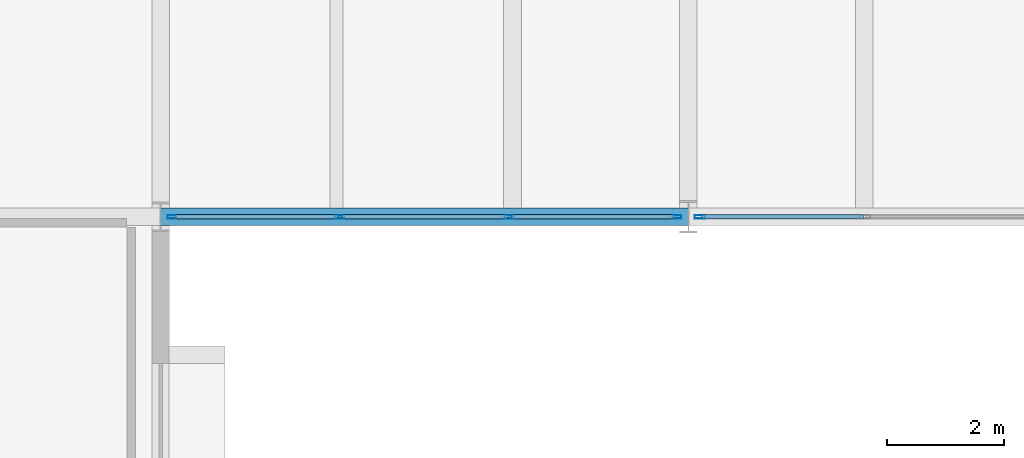
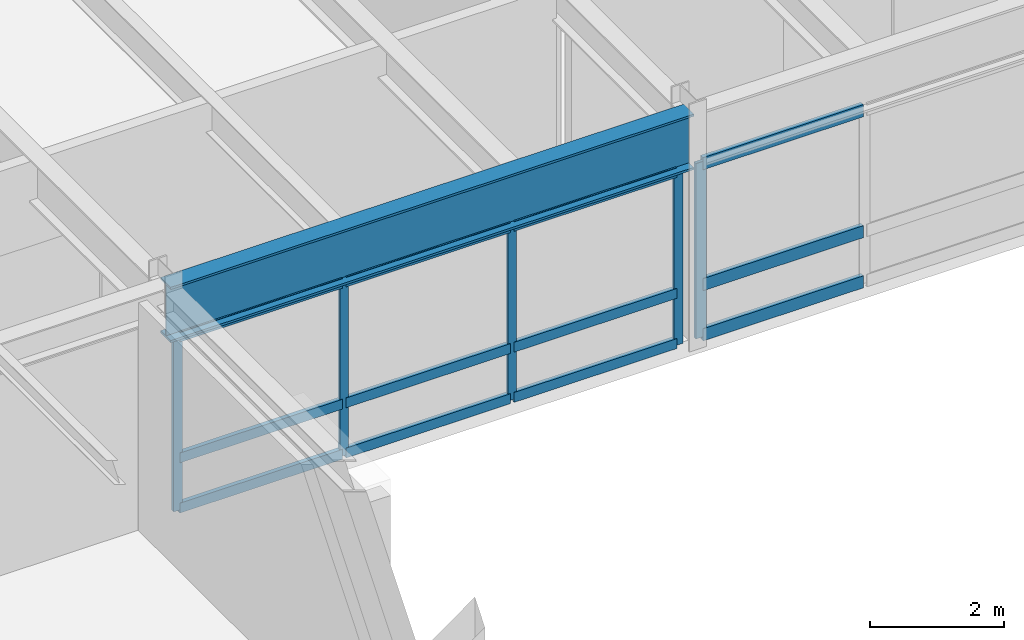
# One storey, part 83 of 142: 17 members, 1 beam, 2 elements without a shape of their own.
"""IFC4 building model written with IfcOpenShell, lengths in metres."""

import ifcopenshell
import ifcopenshell.guid

model = None  # the IFC model being written
_history = None  # IfcOwnerHistory: only IFC2X3 demands one
_inside = {}  # id of a spatial element -> (the spatial element, [elements in it])
_under = {}  # id of a project, library or spatial element -> (it, [spatial elements below it])
_declared = {}  # id of a project -> (the project, [libraries it declares])
_typed = {}  # id of a type object -> (the type object, [elements of that type])
_made_of = {}  # id of a material, layer set ... -> (it, [elements and type objects made of it])


def new_model(schema):
    """Start an empty IFC model of exactly this schema.

    Asked for "IFC4X3", IfcOpenShell would pick the latest addendum, in which some entities
    have other attributes; the version numbers below select the first issue.
    IFC2X3 requires an IfcOwnerHistory on every rooted entity: one is made here for all.
    """
    global model, _history
    if schema == "IFC4X3":
        model = ifcopenshell.file(schema_version=(4, 3, 0, 0))
    else:
        model = ifcopenshell.file(schema=schema)
    _inside.clear()
    _under.clear()
    _declared.clear()
    _typed.clear()
    _made_of.clear()
    _history = None
    if model.schema == "IFC2X3":
        org = make("IfcOrganization", Name="unknown")
        user = make(
            "IfcPersonAndOrganization",
            ThePerson=make("IfcPerson", FamilyName="unknown"),
            TheOrganization=org,
        )
        app = make(
            "IfcApplication",
            ApplicationDeveloper=org,
            Version="unknown",
            ApplicationFullName="unknown",
            ApplicationIdentifier="unknown",
        )
        _history = make(
            "IfcOwnerHistory",
            OwningUser=user,
            OwningApplication=app,
            ChangeAction="ADDED",
            CreationDate=0,
        )
    return model


def make(cls, **values):
    """One entity of the class cls with the attributes given. An attribute that is None is left unset."""
    return model.create_entity(
        cls, **{name: value for name, value in values.items() if value is not None}
    )


def rooted(cls, **values):
    """An entity with a GlobalId (a new one), such as an element, a storey or a relation."""
    return make(cls, GlobalId=ifcopenshell.guid.new(), OwnerHistory=_history, **values)


def si_unit(unit_type, name, prefix=None):
    """IfcSIUnit, for example si_unit("LENGTHUNIT", "METRE", prefix="MILLI")."""
    return make("IfcSIUnit", UnitType=unit_type, Prefix=prefix, Name=name)


def assignment(units):
    """IfcUnitAssignment: the units of a project."""
    return None if units is None else make("IfcUnitAssignment", Units=units)


def point(xyz):
    """IfcCartesianPoint."""
    return None if xyz is None else make("IfcCartesianPoint", Coordinates=xyz)


def direction(xyz):
    """IfcDirection."""
    return None if xyz is None else make("IfcDirection", DirectionRatios=xyz)


def frame(location, z_axis=None, x_axis=None):
    """IfcAxis2Placement3D, a coordinate frame: its origin and axes. An axis left out is left unset."""
    return make(
        "IfcAxis2Placement3D",
        Location=point(location),
        Axis=direction(z_axis),
        RefDirection=direction(x_axis),
    )


def frame_2d(location, x_axis=None):
    """IfcAxis2Placement2D, a coordinate frame in the plane: its origin and x axis."""
    return make(
        "IfcAxis2Placement2D", Location=point(location), RefDirection=direction(x_axis)
    )


def origin():
    """The frame at (0, 0, 0) with its axes left unset."""
    return frame((0.0, 0.0, 0.0))


def origin_2d():
    """The frame at (0, 0) in the plane with its x axis left unset."""
    return frame_2d((0.0, 0.0))


def place(relative_to, where):
    """IfcLocalPlacement: puts the frame where relative to a parent placement (None: the world)."""
    return make(
        "IfcLocalPlacement", PlacementRelTo=relative_to, RelativePlacement=where
    )


def context(
    kind, dimensions, precision=None, world=None, true_north=None, identifier=None
):
    """IfcGeometricRepresentationContext, for example the 3D "Model" context."""
    return make(
        "IfcGeometricRepresentationContext",
        ContextIdentifier=identifier,
        ContextType=kind,
        CoordinateSpaceDimension=dimensions,
        Precision=precision,
        WorldCoordinateSystem=world,
        TrueNorth=true_north,
    )


def subcontext(parent, identifier, kind, view, scale=None):
    """IfcGeometricRepresentationSubContext, for example "Body" below "Model"."""
    return make(
        "IfcGeometricRepresentationSubContext",
        ContextIdentifier=identifier,
        ContextType=kind,
        ParentContext=parent,
        TargetScale=scale,
        TargetView=view,
    )


def project(units=None, contexts=None):
    """IfcProject with its units and contexts."""
    return rooted(
        "IfcProject",
        Name="project",
        RepresentationContexts=contexts,
        UnitsInContext=assignment(units),
    )


def spatial(cls, under=None, at=None, **own):
    """A site, building, storey or space (cls), placed at a placement, below another one or the project."""
    s = rooted(cls, ObjectPlacement=at, **own)
    if under is not None:
        _under.setdefault(under.id(), (under, []))[1].append(s)
    return s


def profile(cls, at=None, kind="AREA", **sizes):
    """A parametric profile (cls). Its sizes go by their IFC names, for example OverallWidth=200.0."""
    return make(cls, ProfileType=kind, Position=at, **sizes)


def hollow_rectangle(**sizes):
    """IfcRectangleHollowProfileDef."""
    return profile("IfcRectangleHollowProfileDef", **sizes)


def i_section(**sizes):
    """IfcIShapeProfileDef."""
    return profile("IfcIShapeProfileDef", **sizes)


def extrude(swept, where, along, depth):
    """IfcExtrudedAreaSolid: the profile swept, set in the frame where, extruded along a direction by depth."""
    return make(
        "IfcExtrudedAreaSolid",
        SweptArea=swept,
        Position=where,
        ExtrudedDirection=direction(along),
        Depth=depth,
    )


def shape(context_of_items, identifier, shape_type, items):
    """IfcShapeRepresentation: the items that make up one representation, for example the "Body"."""
    return make(
        "IfcShapeRepresentation",
        ContextOfItems=context_of_items,
        RepresentationIdentifier=identifier,
        RepresentationType=shape_type,
        Items=items,
    )


def material(Name=None, Category=None):
    """IfcMaterial."""
    return make("IfcMaterial", Name=Name, Category=Category)


def layer(
    of_material, thickness, ventilated=None, Name=None, Category=None, Priority=None
):
    """IfcMaterialLayer: one layer of a wall or slab, of a material (None: an air gap)."""
    return make(
        "IfcMaterialLayer",
        Material=of_material,
        LayerThickness=thickness,
        IsVentilated=ventilated,
        Name=Name,
        Category=Category,
        Priority=Priority,
    )


def layer_set(layers, Name=None):
    """IfcMaterialLayerSet."""
    return make("IfcMaterialLayerSet", MaterialLayers=layers, LayerSetName=Name)


def material_profile(
    of_material, cross_section, Name=None, Category=None, Priority=None
):
    """IfcMaterialProfile: a cross section and its material."""
    return make(
        "IfcMaterialProfile",
        Name=Name,
        Material=of_material,
        Profile=cross_section,
        Priority=Priority,
        Category=Category,
    )


def profile_set(profiles, Name=None, composite=None):
    """IfcMaterialProfileSet."""
    return make(
        "IfcMaterialProfileSet",
        Name=Name,
        MaterialProfiles=profiles,
        CompositeProfile=composite,
    )


def made_of(thing, what):
    """Note that an element or type object is made of a material, layer set ...; save() writes the relation."""
    if what is not None:
        _made_of.setdefault(what.id(), (what, []))[1].append(thing)
    return thing


def type_object(cls, material=None, **own):
    """A type object (cls), such as IfcWallType, which elements share."""
    return made_of(rooted(cls, **own), material)


def element(
    cls,
    number,
    at=None,
    inside=None,
    cuts=None,
    type_object=None,
    material=None,
    context=None,
    identifier="Body",
    shape_type=None,
    held_by="IfcProductDefinitionShape",
    body=None,
    shapes=None,
    **own,
):
    """One element of the class cls, such as IfcWall. Its Tag is "e" and its number.

    at: its placement. inside: the storey or other place that contains it. cuts: it is an
    opening in that element (IfcRelVoidsElement). A single representation is given by context,
    identifier, shape_type and body (its items); several are given by shapes. held_by: the class
    of the entity that holds the representations. save() writes the other relations.
    """
    e = rooted(cls, Tag="e%d" % number, ObjectPlacement=at, **own)
    if body is not None:
        shapes = [shape(context, identifier, shape_type, body)]
    if shapes is not None:
        e.Representation = make(held_by, Representations=shapes)
    if inside is not None:
        _inside.setdefault(inside.id(), (inside, []))[1].append(e)
    if cuts is not None:
        rooted(
            "IfcRelVoidsElement", RelatingBuildingElement=cuts, RelatedOpeningElement=e
        )
    if type_object is not None:
        _typed.setdefault(type_object.id(), (type_object, []))[1].append(e)
    return made_of(e, material)


def aggregate(whole, parts):
    """IfcRelAggregates: a whole, such as a stair, and the parts it consists of."""
    return rooted("IfcRelAggregates", RelatingObject=whole, RelatedObjects=parts)


def save(model, path):
    """Write the relations noted so far, then the file.

    IfcRelAggregates (storeys below a building ...), IfcRelContainedInSpatialStructure (elements
    in a storey), IfcRelDefinesByType, IfcRelAssociatesMaterial and IfcRelDeclares: one each for
    every whole, place, type object, material and project.
    """
    for whole, parts in _under.values():
        aggregate(whole, parts)
    for where, things in _inside.values():
        rooted(
            "IfcRelContainedInSpatialStructure",
            RelatedElements=things,
            RelatingStructure=where,
        )
    for kind, things in _typed.values():
        rooted("IfcRelDefinesByType", RelatedObjects=things, RelatingType=kind)
    for what, things in _made_of.values():
        rooted("IfcRelAssociatesMaterial", RelatedObjects=things, RelatingMaterial=what)
    for by, libraries in _declared.values():
        rooted("IfcRelDeclares", RelatingContext=by, RelatedDefinitions=libraries)
    model.write(path)


model = new_model("IFC4")

# Units and contexts
model_context = context("Model", 3, precision=1e-05, world=origin(), true_north=direction((0.0, 1.0)))
body_context = subcontext(model_context, "Body", "Model", "MODEL_VIEW")
ifc_project = project(units=[si_unit("LENGTHUNIT", "METRE"), si_unit("AREAUNIT", "SQUARE_METRE"), si_unit("VOLUMEUNIT", "CUBIC_METRE"), si_unit("PLANEANGLEUNIT", "RADIAN"), si_unit("MASSUNIT", "GRAM", prefix="KILO")], contexts=[model_context])

# Site, building, storey
site_placement = place(None, origin())
site = spatial("IfcSite", under=ifc_project, at=site_placement, CompositionType="ELEMENT")
building_placement = place(site_placement, origin())
building = spatial("IfcBuilding", under=site, at=building_placement, Name="Montelvaro Courts of Justice", CompositionType="ELEMENT")
storey_placement = place(building_placement, frame((0.0, 0.0, 14.39990234375)))
storey = spatial("IfcBuildingStorey", under=building, at=storey_placement, Name="L03", CompositionType="ELEMENT", Elevation=14.39990234375)

# Beam
ifc_material_1 = material(Name="Steel S355", Category="steel")
ifc_material_profile_1 = material_profile(ifc_material_1, i_section(OverallWidth=0.302001953125, OverallDepth=1.008056640625, WebThickness=0.02099609375, FlangeThickness=0.0400390625, at=origin_2d()), Name="HEM 1000")
ifc_profile_set_1 = profile_set([ifc_material_profile_1], Name="Steel S355")
beam_type = type_object("IfcBeamType", Name="Beam_HEM1000", PredefinedType="USERDEFINED", material=ifc_profile_set_1)
beam_placement = place(storey_placement, frame((135.0, 78.0, 3.696044921875), z_axis=(1.0, 0.0, 0.0), x_axis=(0.0, 1.0, 0.0)))
element("IfcBeam", 1, at=beam_placement, inside=storey, type_object=beam_type, Name="Pratt Cantilever Truss Chord CTR-V2-S-L04-BS1", ObjectType="GIRDER", PredefinedType="USERDEFINED", context=body_context, shape_type="SweptSolid", body=[
    extrude(i_section(OverallWidth=0.302001953125, OverallDepth=1.008056640625, WebThickness=0.02099609375, FlangeThickness=0.0400390625, at=origin_2d()), origin(), (0.0, 0.0, 1.0), 9.0),
])

# Curtain wall, members
ifc_material_2 = material(Name="Anodised aluminium EN AW-6063", Category="aluminium")
ifc_layer_1 = layer(ifc_material_2, 0.159912109375)
ifc_layer_set_1 = layer_set([ifc_layer_1], Name="Anodised aluminium EN AW-6063")
curtain_wall_type_1 = type_object("IfcCurtainWallType", Name="CurtainWall_14_867x418", PredefinedType="USERDEFINED", material=ifc_layer_set_1)
curtain_wall_1_placement = place(storey_placement, origin())
curtain_wall_1 = element("IfcCurtainWall", 2, at=curtain_wall_1_placement, inside=storey, type_object=curtain_wall_type_1, Name="Curtain Wall CW-14 (L03)", ObjectType="CURTAIN WALL", PredefinedType="USERDEFINED")
ifc_material_profile_2 = material_profile(ifc_material_2, hollow_rectangle(XDim=0.06005859375, YDim=0.14990234375, WallThickness=0.00390625, at=origin_2d()), Name="ALU-M 60x150")
ifc_profile_set_2 = profile_set([ifc_material_profile_2], Name="Anodised aluminium EN AW-6063")
member_type_1 = type_object("IfcMemberType", Name="CurtainWall_Mullion_60x150", PredefinedType="MULLION", material=ifc_profile_set_2)
member_1_placement = place(storey_placement, frame((135.195068359375, 78.0, 0.0), z_axis=(0.0, 0.0, 1.0), x_axis=(0.0, 1.0, 0.0)))
member_1 = element("IfcMember", 3, at=member_1_placement, type_object=member_type_1, Name="CW-14 mullion 1", PredefinedType="MULLION", context=body_context, shape_type="SweptSolid", body=[
    extrude(hollow_rectangle(XDim=0.06005859375, YDim=0.14990234375, WallThickness=0.00390625, at=origin_2d()), origin(), (0.0, 0.0, 1.0), 3.18701171875),
])
member_2_placement = place(storey_placement, frame((138.054931640625, 78.0, 0.0), z_axis=(0.0, 0.0, 1.0), x_axis=(0.0, 1.0, 0.0)))
member_2 = element("IfcMember", 4, at=member_2_placement, type_object=member_type_1, Name="CW-14 mullion 2", PredefinedType="MULLION", context=body_context, shape_type="SweptSolid", body=[
    extrude(hollow_rectangle(XDim=0.06005859375, YDim=0.14990234375, WallThickness=0.00390625, at=origin_2d()), origin(), (0.0, 0.0, 1.0), 3.18701171875),
])
member_3_placement = place(storey_placement, frame((140.945068359375, 78.0, 0.0), z_axis=(0.0, 0.0, 1.0), x_axis=(0.0, 1.0, 0.0)))
member_3 = element("IfcMember", 5, at=member_3_placement, type_object=member_type_1, Name="CW-14 mullion 3", PredefinedType="MULLION", context=body_context, shape_type="SweptSolid", body=[
    extrude(hollow_rectangle(XDim=0.06005859375, YDim=0.14990234375, WallThickness=0.00390625, at=origin_2d()), origin(), (0.0, 0.0, 1.0), 3.18701171875),
])
member_4_placement = place(storey_placement, frame((143.804931640625, 78.0, 0.0), z_axis=(0.0, 0.0, 1.0), x_axis=(0.0, 1.0, 0.0)))
member_4 = element("IfcMember", 6, at=member_4_placement, type_object=member_type_1, Name="CW-14 mullion 4", PredefinedType="MULLION", context=body_context, shape_type="SweptSolid", body=[
    extrude(hollow_rectangle(XDim=0.06005859375, YDim=0.14990234375, WallThickness=0.00390625, at=origin_2d()), origin(), (0.0, 0.0, 1.0), 3.18701171875),
])

# Curtain wall, member
ifc_layer_2 = layer(ifc_material_2, 0.159912109375)
ifc_layer_set_2 = layer_set([ifc_layer_2], Name="Anodised aluminium EN AW-6063")
curtain_wall_type_2 = type_object("IfcCurtainWallType", Name="CurtainWall_13_857x418", PredefinedType="USERDEFINED", material=ifc_layer_set_2)
curtain_wall_2_placement = place(storey_placement, origin())
curtain_wall_2 = element("IfcCurtainWall", 7, at=curtain_wall_2_placement, inside=storey, type_object=curtain_wall_type_2, Name="Curtain Wall CW-13 (L03)", ObjectType="CURTAIN WALL", PredefinedType="USERDEFINED")
ifc_material_profile_3 = material_profile(ifc_material_2, hollow_rectangle(XDim=0.06005859375, YDim=0.179931640625, WallThickness=0.00439453125, at=origin_2d()), Name="ALU-M 60x180")
ifc_profile_set_3 = profile_set([ifc_material_profile_3], Name="Anodised aluminium EN AW-6063")
member_type_2 = type_object("IfcMemberType", Name="CurtainWall_Mullion_60x180", PredefinedType="MULLION", material=ifc_profile_set_3)
member_5_placement = place(storey_placement, frame((144.195068359375, 78.0, 0.0), z_axis=(0.0, 0.0, 1.0), x_axis=(0.0, 1.0, 0.0)))
member_5 = element("IfcMember", 8, at=member_5_placement, type_object=member_type_2, Name="CW-13 mullion 1", PredefinedType="MULLION", context=body_context, shape_type="SweptSolid", body=[
    extrude(hollow_rectangle(XDim=0.06005859375, YDim=0.179931640625, WallThickness=0.00439453125, at=origin_2d()), origin(), (0.0, 0.0, 1.0), 3.18701171875),
])

# Member
ifc_material_profile_4 = material_profile(ifc_material_2, hollow_rectangle(XDim=0.074951171875, YDim=0.179931640625, WallThickness=0.0048828125, at=origin_2d()), Name="ALU-T 75x180")
ifc_profile_set_4 = profile_set([ifc_material_profile_4], Name="Anodised aluminium EN AW-6063")
member_type_3 = type_object("IfcMemberType", Name="CurtainWall_Transom_75x180", PredefinedType="USERDEFINED", material=ifc_profile_set_4)
member_6_placement = place(storey_placement, frame((135.22509765625, 78.0, 0.03759765625), z_axis=(1.0, 0.0, 0.0), x_axis=(0.0, 1.0, 0.0)))
member_6 = element("IfcMember", 9, at=member_6_placement, type_object=member_type_3, Name="CW-14 transom 1.1", ObjectType="TRANSOM", PredefinedType="USERDEFINED", context=body_context, shape_type="SweptSolid", body=[
    extrude(hollow_rectangle(XDim=0.074951171875, YDim=0.179931640625, WallThickness=0.0048828125, at=origin_2d()), origin(), (0.0, 0.0, 1.0), 2.7998046875),
])

member_7_placement = place(storey_placement, frame((135.22509765625, 78.0, 0.9501953125), z_axis=(1.0, 0.0, 0.0), x_axis=(0.0, 1.0, 0.0)))
member_7 = element("IfcMember", 10, at=member_7_placement, type_object=member_type_3, Name="CW-14 transom 1.2", ObjectType="TRANSOM", PredefinedType="USERDEFINED", context=body_context, shape_type="SweptSolid", body=[
    extrude(hollow_rectangle(XDim=0.074951171875, YDim=0.179931640625, WallThickness=0.0048828125, at=origin_2d()), origin(), (0.0, 0.0, 1.0), 2.7998046875),
])

member_8_placement = place(storey_placement, frame((135.22509765625, 78.0, 3.149658203125), z_axis=(1.0, 0.0, 0.0), x_axis=(0.0, 1.0, 0.0)))
member_8 = element("IfcMember", 11, at=member_8_placement, type_object=member_type_3, Name="CW-14 transom 1.3", ObjectType="TRANSOM", PredefinedType="USERDEFINED", context=body_context, shape_type="SweptSolid", body=[
    extrude(hollow_rectangle(XDim=0.074951171875, YDim=0.179931640625, WallThickness=0.0048828125, at=origin_2d()), origin(), (0.0, 0.0, 1.0), 2.7998046875),
])

member_9_placement = place(storey_placement, frame((138.0849609375, 78.0, 0.03759765625), z_axis=(1.0, 0.0, 0.0), x_axis=(0.0, 1.0, 0.0)))
member_9 = element("IfcMember", 12, at=member_9_placement, type_object=member_type_3, Name="CW-14 transom 2.1", ObjectType="TRANSOM", PredefinedType="USERDEFINED", context=body_context, shape_type="SweptSolid", body=[
    extrude(hollow_rectangle(XDim=0.074951171875, YDim=0.179931640625, WallThickness=0.0048828125, at=origin_2d()), origin(), (0.0, 0.0, 1.0), 2.830078125),
])

member_10_placement = place(storey_placement, frame((138.0849609375, 78.0, 0.9501953125), z_axis=(1.0, 0.0, 0.0), x_axis=(0.0, 1.0, 0.0)))
member_10 = element("IfcMember", 13, at=member_10_placement, type_object=member_type_3, Name="CW-14 transom 2.2", ObjectType="TRANSOM", PredefinedType="USERDEFINED", context=body_context, shape_type="SweptSolid", body=[
    extrude(hollow_rectangle(XDim=0.074951171875, YDim=0.179931640625, WallThickness=0.0048828125, at=origin_2d()), origin(), (0.0, 0.0, 1.0), 2.830078125),
])

member_11_placement = place(storey_placement, frame((138.0849609375, 78.0, 3.149658203125), z_axis=(1.0, 0.0, 0.0), x_axis=(0.0, 1.0, 0.0)))
member_11 = element("IfcMember", 14, at=member_11_placement, type_object=member_type_3, Name="CW-14 transom 2.3", ObjectType="TRANSOM", PredefinedType="USERDEFINED", context=body_context, shape_type="SweptSolid", body=[
    extrude(hollow_rectangle(XDim=0.074951171875, YDim=0.179931640625, WallThickness=0.0048828125, at=origin_2d()), origin(), (0.0, 0.0, 1.0), 2.830078125),
])

member_12_placement = place(storey_placement, frame((140.97509765625, 78.0, 0.03759765625), z_axis=(1.0, 0.0, 0.0), x_axis=(0.0, 1.0, 0.0)))
member_12 = element("IfcMember", 15, at=member_12_placement, type_object=member_type_3, Name="CW-14 transom 3.1", ObjectType="TRANSOM", PredefinedType="USERDEFINED", context=body_context, shape_type="SweptSolid", body=[
    extrude(hollow_rectangle(XDim=0.074951171875, YDim=0.179931640625, WallThickness=0.0048828125, at=origin_2d()), origin(), (0.0, 0.0, 1.0), 2.7998046875),
])

member_13_placement = place(storey_placement, frame((140.97509765625, 78.0, 0.9501953125), z_axis=(1.0, 0.0, 0.0), x_axis=(0.0, 1.0, 0.0)))
member_13 = element("IfcMember", 16, at=member_13_placement, type_object=member_type_3, Name="CW-14 transom 3.2", ObjectType="TRANSOM", PredefinedType="USERDEFINED", context=body_context, shape_type="SweptSolid", body=[
    extrude(hollow_rectangle(XDim=0.074951171875, YDim=0.179931640625, WallThickness=0.0048828125, at=origin_2d()), origin(), (0.0, 0.0, 1.0), 2.7998046875),
])

member_14_placement = place(storey_placement, frame((140.97509765625, 78.0, 3.149658203125), z_axis=(1.0, 0.0, 0.0), x_axis=(0.0, 1.0, 0.0)))
member_14 = element("IfcMember", 17, at=member_14_placement, type_object=member_type_3, Name="CW-14 transom 3.3", ObjectType="TRANSOM", PredefinedType="USERDEFINED", context=body_context, shape_type="SweptSolid", body=[
    extrude(hollow_rectangle(XDim=0.074951171875, YDim=0.179931640625, WallThickness=0.0048828125, at=origin_2d()), origin(), (0.0, 0.0, 1.0), 2.7998046875),
])

aggregate(curtain_wall_1, [member_1, member_2, member_3, member_4, member_6, member_7, member_8, member_9, member_10, member_11, member_12, member_13, member_14])

ifc_material_profile_5 = material_profile(ifc_material_2, hollow_rectangle(XDim=0.074951171875, YDim=0.219970703125, WallThickness=0.005615234375, at=origin_2d()), Name="ALU-T 75x220")
ifc_profile_set_5 = profile_set([ifc_material_profile_5], Name="Anodised aluminium EN AW-6063")
member_type_4 = type_object("IfcMemberType", Name="CurtainWall_Transom_75x220", PredefinedType="USERDEFINED", material=ifc_profile_set_5)
member_15_placement = place(storey_placement, frame((144.22509765625, 78.0, 0.03759765625), z_axis=(1.0, 0.0, 0.0), x_axis=(0.0, 1.0, 0.0)))
member_15 = element("IfcMember", 18, at=member_15_placement, type_object=member_type_4, Name="CW-13 transom 1.1", ObjectType="TRANSOM", PredefinedType="USERDEFINED", context=body_context, shape_type="SweptSolid", body=[
    extrude(hollow_rectangle(XDim=0.074951171875, YDim=0.219970703125, WallThickness=0.005615234375, at=origin_2d()), origin(), (0.0, 0.0, 1.0), 2.75830078125),
])

member_16_placement = place(storey_placement, frame((144.22509765625, 78.0, 0.9501953125), z_axis=(1.0, 0.0, 0.0), x_axis=(0.0, 1.0, 0.0)))
member_16 = element("IfcMember", 19, at=member_16_placement, type_object=member_type_4, Name="CW-13 transom 1.2", ObjectType="TRANSOM", PredefinedType="USERDEFINED", context=body_context, shape_type="SweptSolid", body=[
    extrude(hollow_rectangle(XDim=0.074951171875, YDim=0.219970703125, WallThickness=0.005615234375, at=origin_2d()), origin(), (0.0, 0.0, 1.0), 2.75830078125),
])

member_17_placement = place(storey_placement, frame((144.22509765625, 78.0, 3.149658203125), z_axis=(1.0, 0.0, 0.0), x_axis=(0.0, 1.0, 0.0)))
member_17 = element("IfcMember", 20, at=member_17_placement, type_object=member_type_4, Name="CW-13 transom 1.3", ObjectType="TRANSOM", PredefinedType="USERDEFINED", context=body_context, shape_type="SweptSolid", body=[
    extrude(hollow_rectangle(XDim=0.074951171875, YDim=0.219970703125, WallThickness=0.005615234375, at=origin_2d()), origin(), (0.0, 0.0, 1.0), 2.75830078125),
])

aggregate(curtain_wall_2, [member_5, member_15, member_16, member_17])

save(model, "model.ifc")
